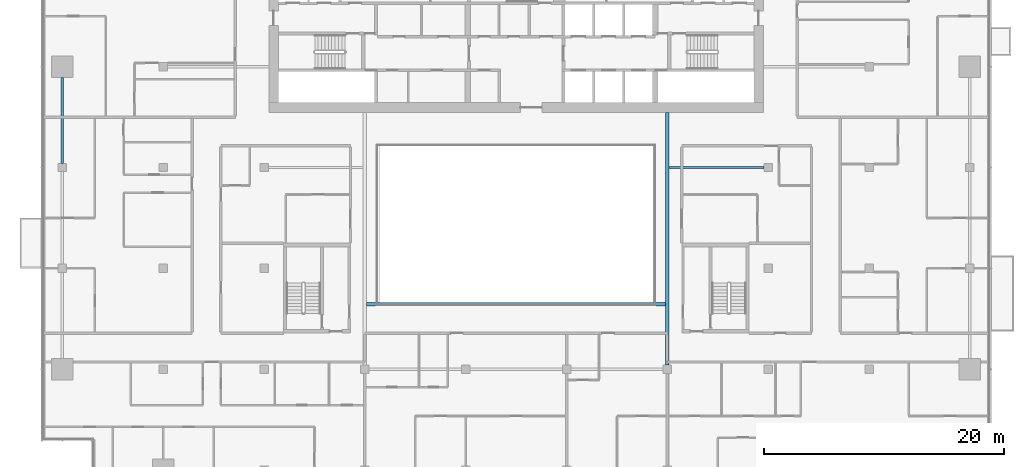
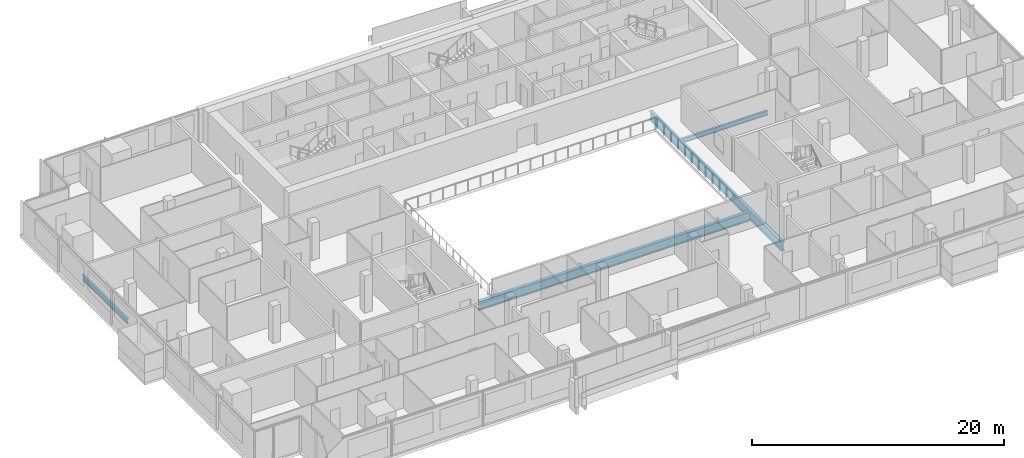
# One storey, part 7 of 27: 4 beams.
"""IFC4 building model written with IfcOpenShell, lengths in metres."""

from ifc_helpers import new_model, si_unit, direction, frame, origin, origin_2d, place, context, subcontext, project, spatial, i_section, extrude, material, material_profile, profile_set, type_object, element, save


model = new_model("IFC4")

# Units and contexts
model_context = context("Model", 3, precision=1e-05, world=origin(), true_north=direction((0.0, 1.0)))
body_context = subcontext(model_context, "Body", "Model", "MODEL_VIEW")
ifc_project = project(units=[si_unit("LENGTHUNIT", "METRE"), si_unit("AREAUNIT", "SQUARE_METRE"), si_unit("VOLUMEUNIT", "CUBIC_METRE"), si_unit("PLANEANGLEUNIT", "RADIAN"), si_unit("MASSUNIT", "GRAM", prefix="KILO")], contexts=[model_context])

# Site, building, storey
site_placement = place(None, origin())
site = spatial("IfcSite", under=ifc_project, at=site_placement, CompositionType="ELEMENT")
building_placement = place(site_placement, origin())
building = spatial("IfcBuilding", under=site, at=building_placement, Name="Saffron Gate Tower", CompositionType="ELEMENT")
storey_placement = place(building_placement, frame((0.0, 0.0, 172.64990234375)))
storey = spatial("IfcBuildingStorey", under=building, at=storey_placement, Name="L42", CompositionType="ELEMENT", Elevation=172.64990234375)

# Beams
ifc_material = material(Name="Structural steel S355", Category="steel")
ifc_material_profile_1 = material_profile(ifc_material, i_section(OverallWidth=0.199951171875, OverallDepth=0.5, WebThickness=0.01025390625, FlangeThickness=0.01611328125, FilletRadius=0.02099609375, at=origin_2d()))
ifc_profile_set_1 = profile_set([ifc_material_profile_1], Name="Structural steel S355")
beam_type_1 = type_object("IfcBeamType", Name="B11 IPE 500", PredefinedType="SPANDREL", material=ifc_profile_set_1)
beam_1_placement = place(storey_placement, frame((49.800048828125, 57.35009765625, -0.52978515625), z_axis=(0.0, 1.0, 0.0), x_axis=(-1.0, 0.0, 0.0)))
element("IfcBeam", 1, at=beam_1_placement, inside=storey, type_object=beam_type_1, Name="B11 SPANDREL BEAM", PredefinedType="SPANDREL", context=body_context, shape_type="SweptSolid", body=[
    extrude(i_section(OverallWidth=0.199951171875, OverallDepth=0.5, WebThickness=0.01025390625, FlangeThickness=0.01611328125, FilletRadius=0.02099609375, at=origin_2d()), origin(), (0.0, 0.0, 1.0), 7.14990234375),
])
ifc_material_profile_2 = material_profile(ifc_material, i_section(OverallWidth=0.300048828125, OverallDepth=0.889892578125, WebThickness=0.01611328125, FlangeThickness=0.030029296875, FilletRadius=0.030029296875, at=origin_2d()))
ifc_profile_set_2 = profile_set([ifc_material_profile_2], Name="Structural steel S355")
beam_type_2 = type_object("IfcBeamType", Name="B19 HEA 900", PredefinedType="BEAM", material=ifc_profile_set_2)
beam_2_placement = place(storey_placement, frame((100.199951171875, 40.550048828125, -0.724853515625), z_axis=(0.0, 1.0, 0.0), x_axis=(-1.0, 0.0, 0.0)))
element("IfcBeam", 2, at=beam_2_placement, inside=storey, type_object=beam_type_2, Name="B19 ATRIUM GIRDER", PredefinedType="BEAM", context=body_context, shape_type="SweptSolid", body=[
    extrude(i_section(OverallWidth=0.300048828125, OverallDepth=0.889892578125, WebThickness=0.01611328125, FlangeThickness=0.030029296875, FilletRadius=0.030029296875, at=origin_2d()), origin(), (0.0, 0.0, 1.0), 21.050048828125),
])
beam_3_placement = place(storey_placement, frame((75.14990234375, 45.60009765625, -0.724853515625), z_axis=(1.0, 0.0, 0.0), x_axis=(0.0, 1.0, 0.0)))
element("IfcBeam", 3, at=beam_3_placement, inside=storey, type_object=beam_type_2, Name="B19 ATRIUM GIRDER", PredefinedType="BEAM", context=body_context, shape_type="SweptSolid", body=[
    extrude(i_section(OverallWidth=0.300048828125, OverallDepth=0.889892578125, WebThickness=0.01611328125, FlangeThickness=0.030029296875, FilletRadius=0.030029296875, at=origin_2d()), origin(), (0.0, 0.0, 1.0), 24.900146484375),
])
ifc_material_profile_3 = material_profile(ifc_material, i_section(OverallWidth=0.18994140625, OverallDepth=0.449951171875, WebThickness=0.009521484375, FlangeThickness=0.0146484375, FilletRadius=0.02099609375, at=origin_2d()))
ifc_profile_set_3 = profile_set([ifc_material_profile_3], Name="Structural steel S355")
beam_type_3 = type_object("IfcBeamType", Name="B6 IPE 450", PredefinedType="BEAM", material=ifc_profile_set_3)
beam_4_placement = place(storey_placement, frame((108.25, 57.0, -0.5048828125), z_axis=(-1.0, 0.0, 0.0), x_axis=(0.0, -1.0, 0.0)))
element("IfcBeam", 4, at=beam_4_placement, inside=storey, type_object=beam_type_3, Name="B6 CORE TIE BEAM", PredefinedType="BEAM", context=body_context, shape_type="SweptSolid", body=[
    extrude(i_section(OverallWidth=0.18994140625, OverallDepth=0.449951171875, WebThickness=0.009521484375, FlangeThickness=0.0146484375, FilletRadius=0.02099609375, at=origin_2d()), origin(), (0.0, 0.0, 1.0), 7.89990234375),
])

save(model, "model.ifc")
